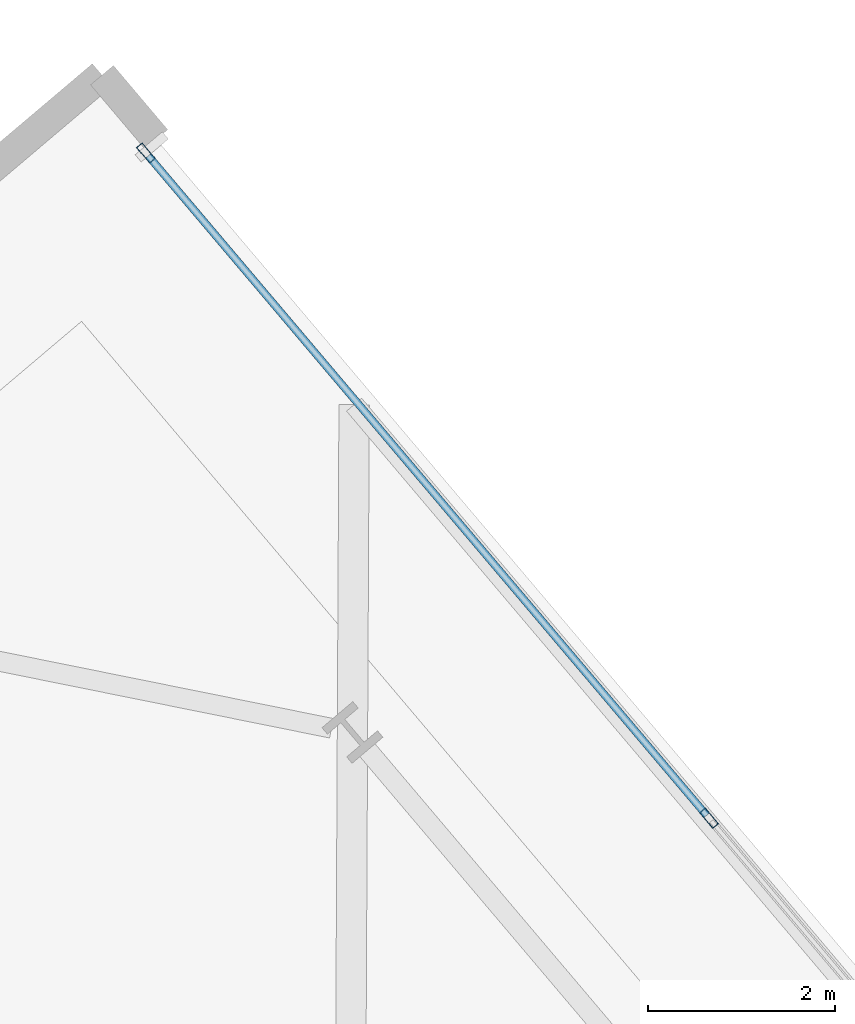
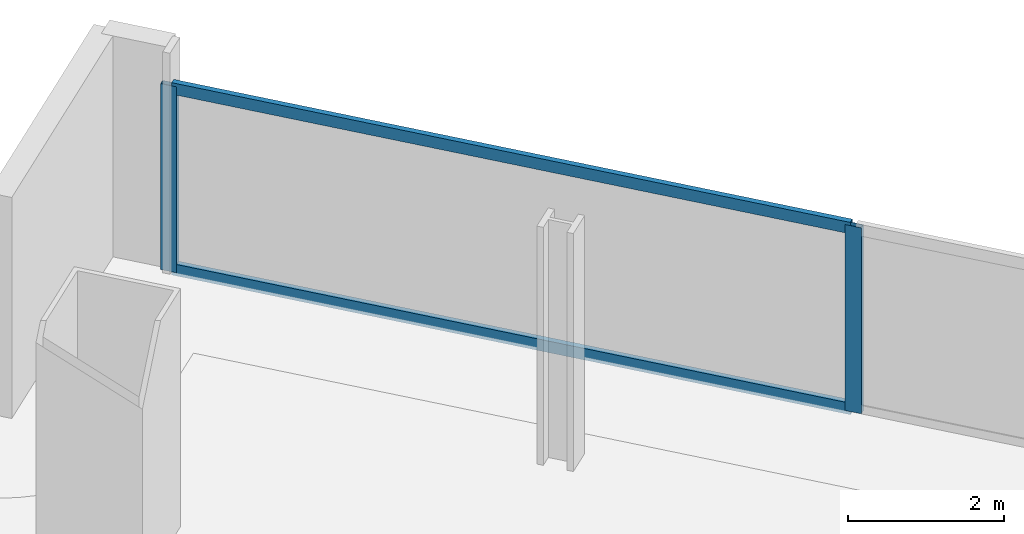
# One storey, part 24 of 34: 4 members, 1 element without a shape of its own.
"""IFC4 building model written with IfcOpenShell, lengths in metres."""

from ifc_helpers import new_model, si_unit, direction, frame, origin, origin_2d, place, context, subcontext, project, spatial, hollow_rectangle, extrude, material, material_profile, profile_set, type_object, element, aggregate, save


model = new_model("IFC4")

# Units and contexts
model_context = context("Model", 3, precision=1e-05, world=origin(), true_north=direction((0.0, 1.0)))
body_context = subcontext(model_context, "Body", "Model", "MODEL_VIEW")
ifc_project = project(units=[si_unit("LENGTHUNIT", "METRE"), si_unit("AREAUNIT", "SQUARE_METRE"), si_unit("VOLUMEUNIT", "CUBIC_METRE"), si_unit("PLANEANGLEUNIT", "RADIAN"), si_unit("MASSUNIT", "GRAM", prefix="KILO")], contexts=[model_context])

# Site, building, storey
site_placement = place(None, origin())
site = spatial("IfcSite", under=ifc_project, at=site_placement, CompositionType="ELEMENT")
building_placement = place(site_placement, origin())
building = spatial("IfcBuilding", under=site, at=building_placement, Name="Haldenkirk Collegiate Tower", CompositionType="ELEMENT")
storey_placement = place(building_placement, frame((0.0, 0.0, 163.199951171875)))
storey = spatial("IfcBuildingStorey", under=building, at=storey_placement, Name="L40", CompositionType="ELEMENT", Elevation=163.199951171875)

# Curtain wall, members
ifc_material = material(Name="Anodised architectural bronze aluminium", Category="aluminium")
curtain_wall_type = type_object("IfcCurtainWallType", Name="CW-SYS1-CONVEX-LOW", PredefinedType="USERDEFINED", material=ifc_material)
curtain_wall_placement = place(storey_placement, origin())
curtain_wall = element("IfcCurtainWall", 1, at=curtain_wall_placement, inside=storey, type_object=curtain_wall_type, Name="L40 Lower tower convex bronze-framed unitised curtain wall", ObjectType="UNITISED CURTAIN WALL", PredefinedType="USERDEFINED")
ifc_material_profile_1 = material_profile(ifc_material, hollow_rectangle(XDim=0.080078125, YDim=0.219970703125, WallThickness=0.0048828125, at=origin_2d()), Name="CW-MUL-1A")
ifc_profile_set_1 = profile_set([ifc_material_profile_1], Name="Anodised architectural bronze aluminium")
member_type_1 = type_object("IfcMemberType", Name="CW-MUL-1A", PredefinedType="MULLION", material=ifc_profile_set_1)
member_1_placement = place(storey_placement, frame((42.869140625, 56.0673828125, 0.0), z_axis=(0.0, 0.0, 1.0), x_axis=(0.763233122945, 0.646123208095, 0.0)))
member_1 = element("IfcMember", 2, at=member_1_placement, type_object=member_type_1, Name="CW-1A mullion 1", PredefinedType="MULLION", context=body_context, shape_type="SweptSolid", body=[
    extrude(hollow_rectangle(XDim=0.080078125, YDim=0.219970703125, WallThickness=0.0048828125, at=origin_2d()), origin(), (0.0, 0.0, 1.0), 2.9111328125),
])
member_2_placement = place(storey_placement, frame((48.896728515625, 48.947265625, 0.0), z_axis=(0.0, 0.0, 1.0), x_axis=(0.763233122945, 0.646123208095, 0.0)))
member_2 = element("IfcMember", 3, at=member_2_placement, type_object=member_type_1, Name="CW-1A mullion 2", PredefinedType="MULLION", context=body_context, shape_type="SweptSolid", body=[
    extrude(hollow_rectangle(XDim=0.080078125, YDim=0.219970703125, WallThickness=0.0048828125, at=origin_2d()), origin(), (0.0, 0.0, 1.0), 2.9111328125),
])
ifc_material_profile_2 = material_profile(ifc_material, hollow_rectangle(XDim=0.080078125, YDim=0.179931640625, WallThickness=0.0048828125, at=origin_2d()), Name="CW-TRN-1A")
ifc_profile_set_2 = profile_set([ifc_material_profile_2], Name="Anodised architectural bronze aluminium")
member_type_2 = type_object("IfcMemberType", Name="CW-TRN-1A", PredefinedType="USERDEFINED", material=ifc_profile_set_2)
member_3_placement = place(storey_placement, frame((42.89501953125, 56.036865234375, 0.0400390625), z_axis=(0.646116170964, -0.763239080249, 0.0), x_axis=(0.763239080249, 0.646116170964, 0.0)))
member_3 = element("IfcMember", 4, at=member_3_placement, type_object=member_type_2, Name="CW-1A transom 1.1", ObjectType="TRANSOM", PredefinedType="USERDEFINED", context=body_context, shape_type="SweptSolid", body=[
    extrude(hollow_rectangle(XDim=0.080078125, YDim=0.179931640625, WallThickness=0.0048828125, at=origin_2d()), origin(), (0.0, 0.0, 1.0), 9.248779296875),
])
member_4_placement = place(storey_placement, frame((42.89501953125, 56.036865234375, 2.87109375), z_axis=(0.646116170964, -0.763239080249, 0.0), x_axis=(0.763239080249, 0.646116170964, 0.0)))
member_4 = element("IfcMember", 5, at=member_4_placement, type_object=member_type_2, Name="CW-1A transom 1.2", ObjectType="TRANSOM", PredefinedType="USERDEFINED", context=body_context, shape_type="SweptSolid", body=[
    extrude(hollow_rectangle(XDim=0.080078125, YDim=0.179931640625, WallThickness=0.0048828125, at=origin_2d()), origin(), (0.0, 0.0, 1.0), 9.248779296875),
])
aggregate(curtain_wall, [member_1, member_2, member_3, member_4])

save(model, "model.ifc")
